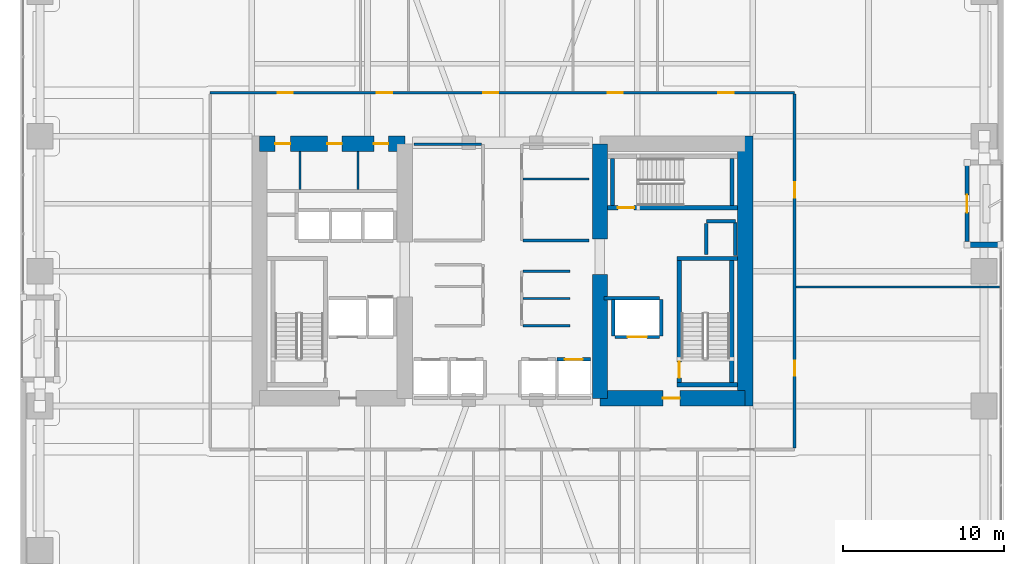
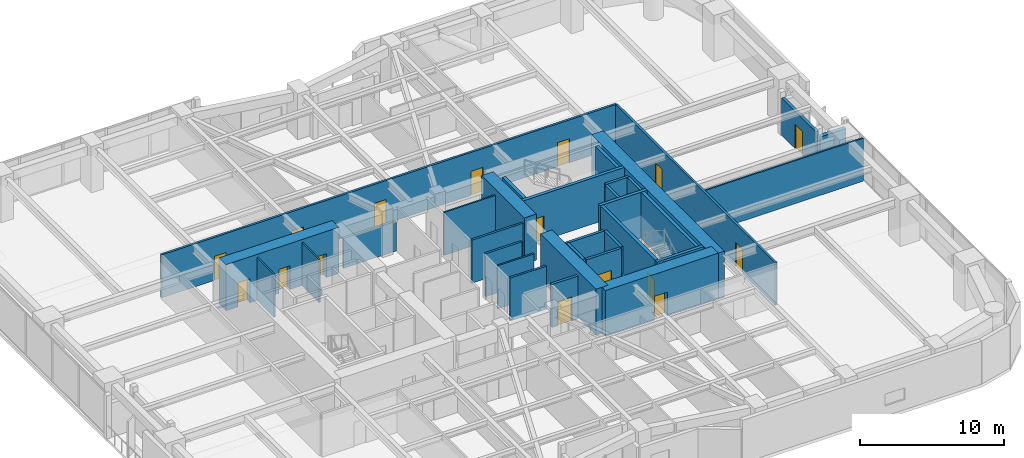
# One storey, part 24 of 29: 33 walls, 16 doors, 16 openings.
"""IFC4 building model written with IfcOpenShell, lengths in metres."""

from ifc_helpers import new_model, si_unit, direction, frame, frame_2d, origin, place, context, subcontext, project, spatial, rectangle, extrude, material, layer, layer_set, type_object, element, fill, save


model = new_model("IFC4")

# Units and contexts
model_context = context("Model", 3, precision=1e-05, world=origin(), true_north=direction((0.0, 1.0)))
body_context = subcontext(model_context, "Body", "Model", "MODEL_VIEW")
ifc_project = project(units=[si_unit("LENGTHUNIT", "METRE"), si_unit("AREAUNIT", "SQUARE_METRE"), si_unit("VOLUMEUNIT", "CUBIC_METRE"), si_unit("PLANEANGLEUNIT", "RADIAN"), si_unit("MASSUNIT", "GRAM", prefix="KILO")], contexts=[model_context])

# Site, building, storey
site_placement = place(None, origin())
site = spatial("IfcSite", under=ifc_project, at=site_placement, CompositionType="ELEMENT")
building_placement = place(site_placement, origin())
building = spatial("IfcBuilding", under=site, at=building_placement, Name="Kiyonajd Concourse Tower", CompositionType="ELEMENT")
storey_placement = place(building_placement, frame((0.0, 0.0, 52.800048828125)))
storey = spatial("IfcBuildingStorey", under=building, at=storey_placement, Name="L14", CompositionType="ELEMENT", Elevation=52.800048828125)

# Wall, openings, doors
ifc_material_1 = material(Name="Concrete C80/95", Category="concrete")
ifc_layer_1 = layer(ifc_material_1, 0.949951171875)
ifc_layer_set_1 = layer_set([ifc_layer_1], Name="Concrete C80/95")
wall_type_1 = type_object("IfcWallType", Name="WL-CORE-950", PredefinedType="SHEAR", material=ifc_layer_set_1)
wall_1_placement = place(storey_placement, frame((32.875, 43.925048828125, 0.0), z_axis=(0.0, 0.0, 1.0), x_axis=(1.0, 0.0, 0.0)))
wall_1 = element("IfcWall", 1, at=wall_1_placement, inside=storey, type_object=wall_type_1, Name="L14 West Core North Shear Wall", PredefinedType="SHEAR", context=body_context, shape_type="SweptSolid", body=[
    extrude(rectangle(XDim=9.050048828125, YDim=0.949951171875, at=frame_2d((4.52490234375, 0.0))), origin(), (0.0, 0.0, 1.0), 3.89990234375),
])
opening_1_placement = place(wall_1_placement, frame((0.97509765625, 0.0, 0.0)))
opening_1 = element("IfcOpeningElement", 2, at=opening_1_placement, cuts=wall_1, Name="Opening DI1", PredefinedType="OPENING", context=body_context, shape_type="SweptSolid", body=[
    extrude(rectangle(XDim=0.949951171875, YDim=2.0400390625, at=frame_2d((0.47509765625, 1.02001953125))), frame((0.0, 0.48486328125, 0.0), z_axis=(0.0, -1.0, 0.0), x_axis=(1.0, 0.0, 0.0)), (0.0, 0.0, 1.0), 0.969970703125),
])
opening_2_placement = place(wall_1_placement, frame((4.22509765625, 0.0, 0.0)))
opening_2 = element("IfcOpeningElement", 3, at=opening_2_placement, cuts=wall_1, Name="Opening DI2", PredefinedType="OPENING", context=body_context, shape_type="SweptSolid", body=[
    extrude(rectangle(XDim=0.89990234375, YDim=2.02001953125, at=frame_2d((0.449951171875, 1.010009765625))), frame((0.0, 0.48486328125, 0.0), z_axis=(0.0, -1.0, 0.0), x_axis=(1.0, 0.0, 0.0)), (0.0, 0.0, 1.0), 0.969970703125),
])
opening_3_placement = place(wall_1_placement, frame((7.125, 0.0, 0.0)))
opening_3 = element("IfcOpeningElement", 4, at=opening_3_placement, cuts=wall_1, Name="Opening DI2", PredefinedType="OPENING", context=body_context, shape_type="SweptSolid", body=[
    extrude(rectangle(XDim=0.89990234375, YDim=2.02001953125, at=frame_2d((0.449951171875, 1.010009765625))), frame((0.0, 0.48486328125, 0.0), z_axis=(0.0, -1.0, 0.0), x_axis=(1.0, 0.0, 0.0)), (0.0, 0.0, 1.0), 0.969970703125),
])
ifc_material_2 = material(Name="Natural Oak Acoustic Timber Veneer", Category="wood")
door_type_1 = type_object("IfcDoorType", Name="DR-INT-900", OperationType="NOTDEFINED", PredefinedType="DOOR", material=ifc_material_2)
door_1_placement = place(opening_2_placement, origin())
door_1 = element("IfcDoor", 5, at=door_1_placement, inside=storey, type_object=door_type_1, Name="L14 Male Restroom Door", OperationType="SINGLE_SWING_RIGHT", OverallHeight=2.02001953125, OverallWidth=0.89990234375, PredefinedType="DOOR", context=body_context, shape_type="SweptSolid", body=[
    extrude(rectangle(XDim=0.89990234375, YDim=2.02001953125, at=frame_2d((0.449951171875, 1.010009765625))), frame((0.0, 0.02490234375, 0.0), z_axis=(0.0, -1.0, 0.0), x_axis=(1.0, 0.0, 0.0)), (0.0, 0.0, 1.0), 0.050048828125),
])
fill(opening_2, door_1)
door_2_placement = place(opening_3_placement, origin())
door_2 = element("IfcDoor", 6, at=door_2_placement, inside=storey, type_object=door_type_1, Name="L14 Female Restroom Door", OperationType="SINGLE_SWING_LEFT", OverallHeight=2.02001953125, OverallWidth=0.89990234375, PredefinedType="DOOR", context=body_context, shape_type="SweptSolid", body=[
    extrude(rectangle(XDim=0.89990234375, YDim=2.02001953125, at=frame_2d((0.449951171875, 1.010009765625))), frame((0.0, 0.02490234375, 0.0), z_axis=(0.0, -1.0, 0.0), x_axis=(1.0, 0.0, 0.0)), (0.0, 0.0, 1.0), 0.050048828125),
])
fill(opening_3, door_2)
door_type_2 = type_object("IfcDoorType", Name="DR-INT-950", OperationType="NOTDEFINED", PredefinedType="DOOR", material=ifc_material_2)
door_3_placement = place(opening_1_placement, origin())
door_3 = element("IfcDoor", 7, at=door_3_placement, inside=storey, type_object=door_type_2, Name="L14 Single User Accessible WC Door", OperationType="SINGLE_SWING_LEFT", OverallHeight=2.0400390625, OverallWidth=0.949951171875, PredefinedType="DOOR", context=body_context, shape_type="SweptSolid", body=[
    extrude(rectangle(XDim=0.949951171875, YDim=2.0400390625, at=frame_2d((0.47509765625, 1.02001953125))), frame((0.0, 0.02490234375, 0.0), z_axis=(0.0, -1.0, 0.0), x_axis=(1.0, 0.0, 0.0)), (0.0, 0.0, 1.0), 0.050048828125),
])
fill(opening_1, door_3)

# Walls
wall_2_placement = place(storey_placement, frame((54.074951171875, 28.074951171875, 0.0), z_axis=(0.0, 0.0, 1.0), x_axis=(0.0, 1.0, 0.0)))
element("IfcWall", 8, at=wall_2_placement, inside=storey, type_object=wall_type_1, Name="L14 East Core Inner South Shear Wall", PredefinedType="SHEAR", context=body_context, shape_type="SweptSolid", body=[
    extrude(rectangle(XDim=7.72509765625, YDim=0.949951171875, at=frame_2d((3.862548828125, 0.0))), origin(), (0.0, 0.0, 1.0), 3.89990234375),
])
wall_3_placement = place(storey_placement, frame((54.074951171875, 38.0, 0.0), z_axis=(0.0, 0.0, 1.0), x_axis=(0.0, 1.0, 0.0)))
element("IfcWall", 9, at=wall_3_placement, inside=storey, type_object=wall_type_1, Name="L14 East Core Inner North Shear Wall", PredefinedType="SHEAR", context=body_context, shape_type="SweptSolid", body=[
    extrude(rectangle(XDim=5.925048828125, YDim=0.949951171875, at=frame_2d((2.96240234375, 0.0))), origin(), (0.0, 0.0, 1.0), 3.89990234375),
])
wall_4_placement = place(storey_placement, frame((63.125, 27.60009765625, 0.0), z_axis=(0.0, 0.0, 1.0), x_axis=(0.0, 1.0, 0.0)))
element("IfcWall", 10, at=wall_4_placement, inside=storey, type_object=wall_type_1, Name="L14 East Core Outer Shear Wall", PredefinedType="SHEAR", context=body_context, shape_type="SweptSolid", body=[
    extrude(rectangle(XDim=16.7998046875, YDim=0.949951171875, at=frame_2d((8.39990234375, 0.0))), origin(), (0.0, 0.0, 1.0), 3.89990234375),
])

# Wall, opening, door
wall_5_placement = place(storey_placement, frame((54.074951171875, 28.074951171875, 0.0), z_axis=(0.0, 0.0, 1.0), x_axis=(1.0, 0.0, 0.0)))
wall_5 = element("IfcWall", 11, at=wall_5_placement, inside=storey, type_object=wall_type_1, Name="L14 East Core South Shear Wall", PredefinedType="SHEAR", context=body_context, shape_type="SweptSolid", body=[
    extrude(rectangle(XDim=9.050048828125, YDim=0.949951171875, at=frame_2d((4.52490234375, 0.0))), origin(), (0.0, 0.0, 1.0), 3.89990234375),
])
opening_4_placement = place(wall_5_placement, frame((3.925048828125, 0.0, 0.0)))
opening_4 = element("IfcOpeningElement", 12, at=opening_4_placement, cuts=wall_5, Name="Opening DF5", PredefinedType="OPENING", context=body_context, shape_type="SweptSolid", body=[
    extrude(rectangle(XDim=1.050048828125, YDim=2.0400390625, at=frame_2d((0.52490234375, 1.02001953125))), frame((0.0, 0.48486328125, 0.0), z_axis=(0.0, -1.0, 0.0), x_axis=(1.0, 0.0, 0.0)), (0.0, 0.0, 1.0), 0.969970703125),
])
ifc_material_3 = material(Name="Brushed Stainless Steel Cab Assembly", Category="steel")
door_type_3 = type_object("IfcDoorType", Name="DR-FD45-1050", OperationType="NOTDEFINED", PredefinedType="DOOR", material=ifc_material_3)
door_4_placement = place(opening_4_placement, origin())
door_4 = element("IfcDoor", 13, at=door_4_placement, inside=storey, type_object=door_type_3, Name="L14 Firefighting Lift Lobby E Smoke Door", OperationType="SINGLE_SWING_RIGHT", OverallHeight=2.0400390625, OverallWidth=1.050048828125, PredefinedType="DOOR", context=body_context, shape_type="SweptSolid", body=[
    extrude(rectangle(XDim=1.050048828125, YDim=2.0400390625, at=frame_2d((0.52490234375, 1.02001953125))), frame((0.0, 0.02490234375, 0.0), z_axis=(0.0, -1.0, 0.0), x_axis=(1.0, 0.0, 0.0)), (0.0, 0.0, 1.0), 0.050048828125),
])
fill(opening_4, door_4)

# Wall
ifc_material_4 = material(Name="Precast concrete C50/60", Category="concrete")
ifc_layer_2 = layer(ifc_material_4, 0.320068359375)
ifc_layer_set_2 = layer_set([ifc_layer_2], Name="Precast concrete C50/60")
wall_type_2 = type_object("IfcWallType", Name="WL-EXT-320", PredefinedType="SOLIDWALL", material=ifc_layer_set_2)
wall_6_placement = place(storey_placement, frame((76.93994140625, 37.639892578125, 0.0), z_axis=(0.0, 0.0, 1.0), x_axis=(1.0, 0.0, 0.0)))
element("IfcWall", 14, at=wall_6_placement, inside=storey, type_object=wall_type_2, Name="L14 Exterior Concrete Frame Wall 23", PredefinedType="SOLIDWALL", context=body_context, shape_type="SweptSolid", body=[
    extrude(rectangle(XDim=2.10009765625, YDim=0.320068359375, at=frame_2d((1.050048828125, 0.0))), origin(), (0.0, 0.0, 1.0), 2.875),
])

# Wall, opening, door
ifc_layer_3 = layer(ifc_material_4, 0.239990234375)
ifc_layer_set_3 = layer_set([ifc_layer_3], Name="Precast concrete C50/60")
wall_type_3 = type_object("IfcWallType", Name="WL-LOG-240", PredefinedType="SOLIDWALL", material=ifc_layer_set_3)
wall_7_placement = place(storey_placement, frame((76.93994140625, 42.56494140625, 0.0), z_axis=(0.0, 0.0, 1.0), x_axis=(0.0, -1.0, 0.0)))
wall_7 = element("IfcWall", 15, at=wall_7_placement, inside=storey, type_object=wall_type_3, Name="L14 Recessed Loggia Thermal Wall LOG-E", PredefinedType="SOLIDWALL", context=body_context, shape_type="SweptSolid", body=[
    extrude(rectangle(XDim=4.72998046875, YDim=0.239990234375, at=frame_2d((2.364990234375, 0.0))), origin(), (0.0, 0.0, 1.0), 3.161865234375),
])
opening_5_placement = place(wall_7_placement, frame((1.81494140625, 0.0, 0.0)))
opening_5 = element("IfcOpeningElement", 16, at=opening_5_placement, cuts=wall_7, Name="Opening DL2", PredefinedType="OPENING", context=body_context, shape_type="SweptSolid", body=[
    extrude(rectangle(XDim=1.10009765625, YDim=2.0400390625, at=frame_2d((0.550048828125, 1.02001953125))), frame((0.0, 0.1298828125, 0.0), z_axis=(0.0, -1.0, 0.0), x_axis=(1.0, 0.0, 0.0)), (0.0, 0.0, 1.0), 0.260009765625),
])
ifc_material_5 = material(Name="Thermally Broken Anodised Aluminium", Category="aluminium")
door_type_4 = type_object("IfcDoorType", Name="DR-LOG-1100", OperationType="NOTDEFINED", PredefinedType="DOOR", material=ifc_material_5)
door_5_placement = place(opening_5_placement, origin())
door_5 = element("IfcDoor", 17, at=door_5_placement, inside=storey, type_object=door_type_4, Name="L14 Engawa Loggia Access Door LOG-E", OperationType="SINGLE_SWING_LEFT", OverallHeight=2.0400390625, OverallWidth=1.10009765625, PredefinedType="DOOR", context=body_context, shape_type="SweptSolid", body=[
    extrude(rectangle(XDim=1.10009765625, YDim=2.0400390625, at=frame_2d((0.550048828125, 1.02001953125))), frame((0.0, 0.02490234375, 0.0), z_axis=(0.0, -1.0, 0.0), x_axis=(1.0, 0.0, 0.0)), (0.0, 0.0, 1.0), 0.050048828125),
])
fill(opening_5, door_5)

# Walls
ifc_material_6 = material(Name="Gypsum Board on Cold-Formed Steel Stud", Category="steel")
ifc_layer_4 = layer(ifc_material_6, 0.125)
ifc_layer_set_4 = layer_set([ifc_layer_4], Name="Gypsum Board on Cold-Formed Steel Stud")
wall_type_4 = type_object("IfcWallType", Name="WL-PART-125", PredefinedType="PARTITIONING", material=ifc_layer_set_4)
for number, where, z_axis, x_axis, name in (
    (18, (35.39990234375, 41.094970703125, 0.0), (0.0, 0.0, 1.0), (0.0, 1.0, 0.0), "L14 Interior Partition Wall"),
    (19, (39.0, 41.094970703125, 0.0), (0.0, 0.0, 1.0), (0.0, 1.0, 0.0), "L14 Interior Partition Wall"),
):
    element("IfcWall", number, at=place(storey_placement, frame(where, z_axis=z_axis, x_axis=x_axis)), inside=storey, type_object=wall_type_4, Name=name, PredefinedType="PARTITIONING", context=body_context, shape_type="SweptSolid", body=[
        extrude(rectangle(XDim=2.35498046875, YDim=0.125, at=frame_2d((1.177490234375, 0.0))), origin(), (0.0, 0.0, 1.0), 3.639892578125),
    ])
wall_8_placement = place(storey_placement, frame((49.287109375, 34.300048828125, 0.0), z_axis=(0.0, 0.0, 1.0), x_axis=(1.0, 0.0, 0.0)))
element("IfcWall", 20, at=wall_8_placement, inside=storey, type_object=wall_type_4, Name="L14 Interior Partition Wall", PredefinedType="PARTITIONING", context=body_context, shape_type="SweptSolid", body=[
    extrude(rectangle(XDim=2.912841796875, YDim=0.125, at=frame_2d((1.45654296875, 0.0))), origin(), (0.0, 0.0, 1.0), 3.639892578125),
])
wall_9_placement = place(storey_placement, frame((49.287109375, 41.739990234375, 0.0), z_axis=(0.0, 0.0, 1.0), x_axis=(1.0, 0.0, 0.0)))
element("IfcWall", 21, at=wall_9_placement, inside=storey, type_object=wall_type_4, Name="L14 Interior Partition Wall", PredefinedType="PARTITIONING", context=body_context, shape_type="SweptSolid", body=[
    extrude(rectangle(XDim=4.11279296875, YDim=0.125, at=frame_2d((2.056396484375, 0.0))), origin(), (0.0, 0.0, 1.0), 3.639892578125),
])
wall_10_placement = place(storey_placement, frame((66.287109375, 35.0, 0.0), z_axis=(0.0, 0.0, 1.0), x_axis=(1.0, 0.0, 0.0)))
element("IfcWall", 22, at=wall_10_placement, inside=storey, type_object=wall_type_4, Name="L14 Interior Partition Wall", PredefinedType="PARTITIONING", context=body_context, shape_type="SweptSolid", body=[
    extrude(rectangle(XDim=12.66796875, YDim=0.125, at=frame_2d((6.333984375, 0.0))), origin(), (0.0, 0.0, 1.0), 3.639892578125),
])
ifc_layer_5 = layer(ifc_material_6, 0.2099609375)
ifc_layer_set_5 = layer_set([ifc_layer_5], Name="Gypsum Board on Cold-Formed Steel Stud")
wall_type_5 = type_object("IfcWallType", Name="WL-SHAFT-210", PredefinedType="PARTITIONING", material=ifc_layer_set_5)
wall_11_placement = place(storey_placement, frame((60.719970703125, 39.10009765625, 0.0), z_axis=(0.0, 0.0, 1.0), x_axis=(1.0, 0.0, 0.0)))
element("IfcWall", 23, at=wall_11_placement, inside=storey, type_object=wall_type_5, Name="L14 Shaft Enclosure Wall", PredefinedType="PARTITIONING", context=body_context, shape_type="SweptSolid", body=[
    extrude(rectangle(XDim=1.800048828125, YDim=0.2099609375, at=frame_2d((0.89990234375, 0.0))), origin(), (0.0, 0.0, 1.0), 3.639892578125),
])
wall_12_placement = place(storey_placement, frame((60.699951171875, 37.02001953125, 0.0), z_axis=(0.0, 0.0, 1.0), x_axis=(0.0, 1.0, 0.0)))
element("IfcWall", 24, at=wall_12_placement, inside=storey, type_object=wall_type_5, Name="L14 Shaft Enclosure Wall", PredefinedType="PARTITIONING", context=body_context, shape_type="SweptSolid", body=[
    extrude(rectangle(XDim=1.9599609375, YDim=0.2099609375, at=frame_2d((0.97998046875, 0.0))), origin(), (0.0, 0.0, 1.0), 3.639892578125),
])
wall_13_placement = place(storey_placement, frame((62.5, 36.97998046875, 0.0), z_axis=(0.0, 0.0, 1.0), x_axis=(0.0, 1.0, 0.0)))
element("IfcWall", 25, at=wall_13_placement, inside=storey, type_object=wall_type_5, Name="L14 Shaft Enclosure Wall", PredefinedType="PARTITIONING", context=body_context, shape_type="SweptSolid", body=[
    extrude(rectangle(XDim=2.0400390625, YDim=0.2099609375, at=frame_2d((1.02001953125, 0.0))), origin(), (0.0, 0.0, 1.0), 3.639892578125),
])

# Wall, opening, door
wall_14_placement = place(storey_placement, frame((55.0, 31.89990234375, 0.0), z_axis=(0.0, 0.0, 1.0), x_axis=(1.0, 0.0, 0.0)))
wall_14 = element("IfcWall", 26, at=wall_14_placement, inside=storey, type_object=wall_type_5, Name="L14 Shaft Enclosure Wall", PredefinedType="PARTITIONING", context=body_context, shape_type="SweptSolid", body=[
    extrude(rectangle(XDim=2.800048828125, YDim=0.2099609375, at=frame_2d((1.39990234375, 0.0))), origin(), (0.0, 0.0, 1.0), 3.639892578125),
])
opening_6_placement = place(wall_14_placement, frame((0.800048828125, 0.0, 0.0)))
opening_6 = element("IfcOpeningElement", 27, at=opening_6_placement, cuts=wall_14, Name="Opening LD2", PredefinedType="OPENING", context=body_context, shape_type="SweptSolid", body=[
    extrude(rectangle(XDim=1.199951171875, YDim=2.0400390625, at=frame_2d((0.60009765625, 1.02001953125))), frame((0.0, 0.114990234375, 0.0), z_axis=(0.0, -1.0, 0.0), x_axis=(1.0, 0.0, 0.0)), (0.0, 0.0, 1.0), 0.22998046875),
])
door_type_5 = type_object("IfcDoorType", Name="DR-LD-1200", OperationType="DOUBLE_DOOR_SLIDING", PredefinedType="DOOR", material=ifc_material_3)
door_6_placement = place(opening_6_placement, origin())
door_6 = element("IfcDoor", 28, at=door_6_placement, inside=storey, type_object=door_type_5, Name="L14 Lift FFL2 Sliding Landing Door", OperationType="DOUBLE_DOOR_SLIDING", OverallHeight=2.0400390625, OverallWidth=1.199951171875, PredefinedType="DOOR", context=body_context, shape_type="SweptSolid", body=[
    extrude(rectangle(XDim=1.199951171875, YDim=2.0400390625, at=frame_2d((0.60009765625, 1.02001953125))), frame((0.0, 0.02490234375, 0.0), z_axis=(0.0, -1.0, 0.0), x_axis=(1.0, 0.0, 0.0)), (0.0, 0.0, 1.0), 0.050048828125),
])
fill(opening_6, door_6)

# Walls
wall_15_placement = place(storey_placement, frame((54.320068359375, 34.300048828125, 0.0), z_axis=(0.0, 0.0, 1.0), x_axis=(1.0, 0.0, 0.0)))
element("IfcWall", 29, at=wall_15_placement, inside=storey, type_object=wall_type_5, Name="L14 Shaft Enclosure Wall", PredefinedType="PARTITIONING", context=body_context, shape_type="SweptSolid", body=[
    extrude(rectangle(XDim=3.47998046875, YDim=0.2099609375, at=frame_2d((1.739990234375, 0.0))), origin(), (0.0, 0.0, 1.0), 3.639892578125),
])
for number, where, z_axis, x_axis, name in (
    (30, (54.89990234375, 31.9599609375, 0.0), (0.0, 0.0, 1.0), (0.0, 1.0, 0.0), "L14 Shaft Enclosure Wall"),
    (31, (57.89990234375, 31.9599609375, 0.0), (0.0, 0.0, 1.0), (0.0, 1.0, 0.0), "L14 Shaft Enclosure Wall"),
):
    element("IfcWall", number, at=place(storey_placement, frame(where, z_axis=z_axis, x_axis=x_axis)), inside=storey, type_object=wall_type_5, Name=name, PredefinedType="PARTITIONING", context=body_context, shape_type="SweptSolid", body=[
        extrude(rectangle(XDim=2.280029296875, YDim=0.2099609375, at=frame_2d((1.14013671875, 0.0))), origin(), (0.0, 0.0, 1.0), 3.639892578125),
    ])

# Wall, opening, door
wall_16_placement = place(storey_placement, frame((51.39990234375, 30.5, 0.0), z_axis=(0.0, 0.0, 1.0), x_axis=(1.0, 0.0, 0.0)))
wall_16 = element("IfcWall", 32, at=wall_16_placement, inside=storey, type_object=wall_type_5, Name="L14 Shaft Enclosure Wall", PredefinedType="PARTITIONING", context=body_context, shape_type="SweptSolid", body=[
    extrude(rectangle(XDim=2.10009765625, YDim=0.2099609375, at=frame_2d((1.050048828125, 0.0))), origin(), (0.0, 0.0, 1.0), 3.639892578125),
])
opening_7_placement = place(wall_16_placement, frame((0.5, 0.0, 0.0)))
opening_7 = element("IfcOpeningElement", 33, at=opening_7_placement, cuts=wall_16, Name="Opening LD1", PredefinedType="OPENING", context=body_context, shape_type="SweptSolid", body=[
    extrude(rectangle(XDim=1.10009765625, YDim=2.0400390625, at=frame_2d((0.550048828125, 1.02001953125))), frame((0.0, 0.114990234375, 0.0), z_axis=(0.0, -1.0, 0.0), x_axis=(1.0, 0.0, 0.0)), (0.0, 0.0, 1.0), 0.22998046875),
])
door_type_6 = type_object("IfcDoorType", Name="DR-LD-1100", OperationType="DOUBLE_DOOR_SLIDING", PredefinedType="DOOR", material=ifc_material_3)
door_7_placement = place(opening_7_placement, origin())
door_7 = element("IfcDoor", 34, at=door_7_placement, inside=storey, type_object=door_type_6, Name="L14 Lift PL-L4 Sliding Landing Door", OperationType="DOUBLE_DOOR_SLIDING", OverallHeight=2.0400390625, OverallWidth=1.10009765625, PredefinedType="DOOR", context=body_context, shape_type="SweptSolid", body=[
    extrude(rectangle(XDim=1.10009765625, YDim=2.0400390625, at=frame_2d((0.550048828125, 1.02001953125))), frame((0.0, 0.02490234375, 0.0), z_axis=(0.0, -1.0, 0.0), x_axis=(1.0, 0.0, 0.0)), (0.0, 0.0, 1.0), 0.050048828125),
])
fill(opening_7, door_7)

# Walls
ifc_layer_6 = layer(ifc_material_6, 0.169921875)
ifc_layer_set_6 = layer_set([ifc_layer_6], Name="Gypsum Board on Cold-Formed Steel Stud")
wall_type_6 = type_object("IfcWallType", Name="WL-SMK-170", PredefinedType="PARTITIONING", material=ifc_layer_set_6)
for number, where, z_axis, x_axis, name in (
    (35, (49.287109375, 32.60009765625, 0.0), (0.0, 0.0, 1.0), (1.0, 0.0, 0.0), "L14 Interior Partition Wall"),
    (36, (49.287109375, 36.0, 0.0), (0.0, 0.0, 1.0), (1.0, 0.0, 0.0), "L14 Interior Partition Wall"),
):
    element("IfcWall", number, at=place(storey_placement, frame(where, z_axis=z_axis, x_axis=x_axis)), inside=storey, type_object=wall_type_6, Name=name, PredefinedType="PARTITIONING", context=body_context, shape_type="SweptSolid", body=[
        extrude(rectangle(XDim=2.912841796875, YDim=0.169921875, at=frame_2d((1.45654296875, 0.0))), origin(), (0.0, 0.0, 1.0), 3.639892578125),
    ])
wall_17_placement = place(storey_placement, frame((42.5, 43.89990234375, 0.0), z_axis=(0.0, 0.0, 1.0), x_axis=(1.0, 0.0, 0.0)))
element("IfcWall", 37, at=wall_17_placement, inside=storey, type_object=wall_type_6, Name="L14 Interior Partition Wall", PredefinedType="PARTITIONING", context=body_context, shape_type="SweptSolid", body=[
    extrude(rectangle(XDim=4.212890625, YDim=0.169921875, at=frame_2d((2.1064453125, 0.0))), origin(), (0.0, 0.0, 1.0), 2.52490234375),
])
wall_18_placement = place(storey_placement, frame((49.287109375, 37.89990234375, 0.0), z_axis=(0.0, 0.0, 1.0), x_axis=(1.0, 0.0, 0.0)))
element("IfcWall", 38, at=wall_18_placement, inside=storey, type_object=wall_type_6, Name="L14 Interior Partition Wall", PredefinedType="PARTITIONING", context=body_context, shape_type="SweptSolid", body=[
    extrude(rectangle(XDim=4.11279296875, YDim=0.169921875, at=frame_2d((2.056396484375, 0.0))), origin(), (0.0, 0.0, 1.0), 3.639892578125),
])

# Wall, openings, doors
wall_19_placement = place(storey_placement, frame((29.800048828125, 47.110107421875, 0.0), z_axis=(0.0, 0.0, 1.0), x_axis=(1.0, 0.0, 0.0)))
wall_19 = element("IfcWall", 39, at=wall_19_placement, inside=storey, type_object=wall_type_6, Name="L14 Interior Partition Wall", PredefinedType="PARTITIONING", context=body_context, shape_type="SweptSolid", body=[
    extrude(rectangle(XDim=36.39990234375, YDim=0.169921875, at=frame_2d((18.199951171875, 0.0))), origin(), (0.0, 0.0, 1.0), 3.639892578125),
])
opening_8_placement = place(wall_19_placement, frame((4.205078125, 0.0, 0.0)))
opening_8 = element("IfcOpeningElement", 40, at=opening_8_placement, cuts=wall_19, Name="Opening DI1", PredefinedType="OPENING", context=body_context, shape_type="SweptSolid", body=[
    extrude(rectangle(XDim=0.949951171875, YDim=2.0400390625, at=frame_2d((0.47509765625, 1.02001953125))), frame((0.0, 0.094970703125, 0.0), z_axis=(0.0, -1.0, 0.0), x_axis=(1.0, 0.0, 0.0)), (0.0, 0.0, 1.0), 0.18994140625),
])
opening_9_placement = place(wall_19_placement, frame((10.385009765625, 0.0, 0.0)))
opening_9 = element("IfcOpeningElement", 41, at=opening_9_placement, cuts=wall_19, Name="Opening DI1", PredefinedType="OPENING", context=body_context, shape_type="SweptSolid", body=[
    extrude(rectangle(XDim=0.949951171875, YDim=2.0400390625, at=frame_2d((0.47509765625, 1.02001953125))), frame((0.0, 0.094970703125, 0.0), z_axis=(0.0, -1.0, 0.0), x_axis=(1.0, 0.0, 0.0)), (0.0, 0.0, 1.0), 0.18994140625),
])
opening_10_placement = place(wall_19_placement, frame((17.0048828125, 0.0, 0.0)))
opening_10 = element("IfcOpeningElement", 42, at=opening_10_placement, cuts=wall_19, Name="Opening DI1", PredefinedType="OPENING", context=body_context, shape_type="SweptSolid", body=[
    extrude(rectangle(XDim=0.949951171875, YDim=2.0400390625, at=frame_2d((0.47509765625, 1.02001953125))), frame((0.0, 0.094970703125, 0.0), z_axis=(0.0, -1.0, 0.0), x_axis=(1.0, 0.0, 0.0)), (0.0, 0.0, 1.0), 0.18994140625),
])
opening_11_placement = place(wall_19_placement, frame((24.7548828125, 0.0, 0.0)))
opening_11 = element("IfcOpeningElement", 43, at=opening_11_placement, cuts=wall_19, Name="Opening DI1", PredefinedType="OPENING", context=body_context, shape_type="SweptSolid", body=[
    extrude(rectangle(XDim=0.949951171875, YDim=2.0400390625, at=frame_2d((0.47509765625, 1.02001953125))), frame((0.0, 0.094970703125, 0.0), z_axis=(0.0, -1.0, 0.0), x_axis=(1.0, 0.0, 0.0)), (0.0, 0.0, 1.0), 0.18994140625),
])
opening_12_placement = place(wall_19_placement, frame((31.655029296875, 0.0, 0.0)))
opening_12 = element("IfcOpeningElement", 44, at=opening_12_placement, cuts=wall_19, Name="Opening DI1", PredefinedType="OPENING", context=body_context, shape_type="SweptSolid", body=[
    extrude(rectangle(XDim=0.949951171875, YDim=2.0400390625, at=frame_2d((0.47509765625, 1.02001953125))), frame((0.0, 0.094970703125, 0.0), z_axis=(0.0, -1.0, 0.0), x_axis=(1.0, 0.0, 0.0)), (0.0, 0.0, 1.0), 0.18994140625),
])
door_8_placement = place(opening_8_placement, origin())
door_8 = element("IfcDoor", 45, at=door_8_placement, inside=storey, type_object=door_type_2, Name="L14 Interior Door", OperationType="SINGLE_SWING_RIGHT", OverallHeight=2.0400390625, OverallWidth=0.949951171875, PredefinedType="DOOR", context=body_context, shape_type="SweptSolid", body=[
    extrude(rectangle(XDim=0.949951171875, YDim=2.0400390625, at=frame_2d((0.47509765625, 1.02001953125))), frame((0.0, 0.02490234375, 0.0), z_axis=(0.0, -1.0, 0.0), x_axis=(1.0, 0.0, 0.0)), (0.0, 0.0, 1.0), 0.050048828125),
])
fill(opening_8, door_8)
door_9_placement = place(opening_9_placement, origin())
door_9 = element("IfcDoor", 46, at=door_9_placement, inside=storey, type_object=door_type_2, Name="L14 Interior Door", OperationType="SINGLE_SWING_LEFT", OverallHeight=2.0400390625, OverallWidth=0.949951171875, PredefinedType="DOOR", context=body_context, shape_type="SweptSolid", body=[
    extrude(rectangle(XDim=0.949951171875, YDim=2.0400390625, at=frame_2d((0.47509765625, 1.02001953125))), frame((0.0, 0.02490234375, 0.0), z_axis=(0.0, -1.0, 0.0), x_axis=(1.0, 0.0, 0.0)), (0.0, 0.0, 1.0), 0.050048828125),
])
fill(opening_9, door_9)
door_10_placement = place(opening_10_placement, origin())
door_10 = element("IfcDoor", 47, at=door_10_placement, inside=storey, type_object=door_type_2, Name="L14 Interior Door", OperationType="SINGLE_SWING_RIGHT", OverallHeight=2.0400390625, OverallWidth=0.949951171875, PredefinedType="DOOR", context=body_context, shape_type="SweptSolid", body=[
    extrude(rectangle(XDim=0.949951171875, YDim=2.0400390625, at=frame_2d((0.47509765625, 1.02001953125))), frame((0.0, 0.02490234375, 0.0), z_axis=(0.0, -1.0, 0.0), x_axis=(1.0, 0.0, 0.0)), (0.0, 0.0, 1.0), 0.050048828125),
])
fill(opening_10, door_10)
door_11_placement = place(opening_11_placement, origin())
door_11 = element("IfcDoor", 48, at=door_11_placement, inside=storey, type_object=door_type_2, Name="L14 Interior Door", OperationType="SINGLE_SWING_RIGHT", OverallHeight=2.0400390625, OverallWidth=0.949951171875, PredefinedType="DOOR", context=body_context, shape_type="SweptSolid", body=[
    extrude(rectangle(XDim=0.949951171875, YDim=2.0400390625, at=frame_2d((0.47509765625, 1.02001953125))), frame((0.0, 0.02490234375, 0.0), z_axis=(0.0, -1.0, 0.0), x_axis=(1.0, 0.0, 0.0)), (0.0, 0.0, 1.0), 0.050048828125),
])
fill(opening_11, door_11)
door_12_placement = place(opening_12_placement, origin())
door_12 = element("IfcDoor", 49, at=door_12_placement, inside=storey, type_object=door_type_2, Name="L14 Interior Door", OperationType="SINGLE_SWING_LEFT", OverallHeight=2.0400390625, OverallWidth=0.949951171875, PredefinedType="DOOR", context=body_context, shape_type="SweptSolid", body=[
    extrude(rectangle(XDim=0.949951171875, YDim=2.0400390625, at=frame_2d((0.47509765625, 1.02001953125))), frame((0.0, 0.02490234375, 0.0), z_axis=(0.0, -1.0, 0.0), x_axis=(1.0, 0.0, 0.0)), (0.0, 0.0, 1.0), 0.050048828125),
])
fill(opening_12, door_12)

wall_20_placement = place(storey_placement, frame((66.199951171875, 24.97705078125, 0.0), z_axis=(0.0, 0.0, 1.0), x_axis=(0.0, 1.0, 0.0)))
wall_20 = element("IfcWall", 50, at=wall_20_placement, inside=storey, type_object=wall_type_6, Name="L14 Interior Partition Wall", PredefinedType="PARTITIONING", context=body_context, shape_type="SweptSolid", body=[
    extrude(rectangle(XDim=22.0458984375, YDim=0.169921875, at=frame_2d((11.02294921875, 0.0))), origin(), (0.0, 0.0, 1.0), 3.639892578125),
])
opening_13_placement = place(wall_20_placement, frame((4.492919921875, 0.0, 0.0)))
opening_13 = element("IfcOpeningElement", 51, at=opening_13_placement, cuts=wall_20, Name="Opening DI1", PredefinedType="OPENING", context=body_context, shape_type="SweptSolid", body=[
    extrude(rectangle(XDim=0.949951171875, YDim=2.0400390625, at=frame_2d((0.47509765625, 1.02001953125))), frame((0.0, 0.094970703125, 0.0), z_axis=(0.0, -1.0, 0.0), x_axis=(1.0, 0.0, 0.0)), (0.0, 0.0, 1.0), 0.18994140625),
])
opening_14_placement = place(wall_20_placement, frame((15.60302734375, 0.0, 0.0)))
opening_14 = element("IfcOpeningElement", 52, at=opening_14_placement, cuts=wall_20, Name="Opening DI1", PredefinedType="OPENING", context=body_context, shape_type="SweptSolid", body=[
    extrude(rectangle(XDim=0.949951171875, YDim=2.0400390625, at=frame_2d((0.47509765625, 1.02001953125))), frame((0.0, 0.094970703125, 0.0), z_axis=(0.0, -1.0, 0.0), x_axis=(1.0, 0.0, 0.0)), (0.0, 0.0, 1.0), 0.18994140625),
])
door_13_placement = place(opening_13_placement, origin())
door_13 = element("IfcDoor", 53, at=door_13_placement, inside=storey, type_object=door_type_2, Name="L14 Interior Door", OperationType="SINGLE_SWING_LEFT", OverallHeight=2.0400390625, OverallWidth=0.949951171875, PredefinedType="DOOR", context=body_context, shape_type="SweptSolid", body=[
    extrude(rectangle(XDim=0.949951171875, YDim=2.0400390625, at=frame_2d((0.47509765625, 1.02001953125))), frame((0.0, 0.02490234375, 0.0), z_axis=(0.0, -1.0, 0.0), x_axis=(1.0, 0.0, 0.0)), (0.0, 0.0, 1.0), 0.050048828125),
])
fill(opening_13, door_13)
door_14_placement = place(opening_14_placement, origin())
door_14 = element("IfcDoor", 54, at=door_14_placement, inside=storey, type_object=door_type_2, Name="L14 Interior Door", OperationType="SINGLE_SWING_RIGHT", OverallHeight=2.0400390625, OverallWidth=0.949951171875, PredefinedType="DOOR", context=body_context, shape_type="SweptSolid", body=[
    extrude(rectangle(XDim=0.949951171875, YDim=2.0400390625, at=frame_2d((0.47509765625, 1.02001953125))), frame((0.0, 0.02490234375, 0.0), z_axis=(0.0, -1.0, 0.0), x_axis=(1.0, 0.0, 0.0)), (0.0, 0.0, 1.0), 0.050048828125),
])
fill(opening_14, door_14)

# Walls
ifc_material_7 = material(Name="Concrete C50/60", Category="concrete")
ifc_layer_7 = layer(ifc_material_7, 0.260009765625)
ifc_layer_set_7 = layer_set([ifc_layer_7], Name="Concrete C50/60")
wall_type_7 = type_object("IfcWallType", Name="WL-STAIR-260", PredefinedType="SHEAR", material=ifc_layer_set_7)
for number, where, z_axis, x_axis, name in (
    (55, (58.889892578125, 28.919921875, 0.0), (0.0, 0.0, 1.0), (1.0, 0.0, 0.0), "L14 Stair ST2 Structural South Wall"),
    (56, (58.889892578125, 36.780029296875, 0.0), (0.0, 0.0, 1.0), (1.0, 0.0, 0.0), "L14 Stair ST2 Structural North Wall"),
):
    element("IfcWall", number, at=place(storey_placement, frame(where, z_axis=z_axis, x_axis=x_axis)), inside=storey, type_object=wall_type_7, Name=name, PredefinedType="SHEAR", context=body_context, shape_type="SweptSolid", body=[
        extrude(rectangle(XDim=3.760009765625, YDim=0.260009765625, at=frame_2d((1.8798828125, 0.0))), origin(), (0.0, 0.0, 1.0), 3.89990234375),
    ])

# Wall, opening, door
wall_21_placement = place(storey_placement, frame((59.02001953125, 29.050048828125, 0.0), z_axis=(0.0, 0.0, 1.0), x_axis=(0.0, 1.0, 0.0)))
wall_21 = element("IfcWall", 57, at=wall_21_placement, inside=storey, type_object=wall_type_7, Name="L14 Stair ST2 Structural West Wall", PredefinedType="SHEAR", context=body_context, shape_type="SweptSolid", body=[
    extrude(rectangle(XDim=7.599853515625, YDim=0.260009765625, at=frame_2d((3.7998046875, 0.0))), origin(), (0.0, 0.0, 1.0), 3.89990234375),
])
opening_15_placement = place(wall_21_placement, frame((0.300048828125, 0.0, 0.0)))
opening_15 = element("IfcOpeningElement", 58, at=opening_15_placement, cuts=wall_21, Name="Opening DF1", PredefinedType="OPENING", context=body_context, shape_type="SweptSolid", body=[
    extrude(rectangle(XDim=1.0, YDim=2.0400390625, at=frame_2d((0.5, 1.02001953125))), frame((0.0, 0.139892578125, 0.0), z_axis=(0.0, -1.0, 0.0), x_axis=(1.0, 0.0, 0.0)), (0.0, 0.0, 1.0), 0.280029296875),
])
door_type_7 = type_object("IfcDoorType", Name="DR-FD90-1000", OperationType="NOTDEFINED", PredefinedType="DOOR", material=ifc_material_3)
door_15_placement = place(opening_15_placement, origin())
door_15 = element("IfcDoor", 59, at=door_15_placement, inside=storey, type_object=door_type_7, Name="L14 Stair ST2 FSAE Door", OperationType="SINGLE_SWING_RIGHT", OverallHeight=2.0400390625, OverallWidth=1.0, PredefinedType="DOOR", context=body_context, shape_type="SweptSolid", body=[
    extrude(rectangle(XDim=1.0, YDim=2.0400390625, at=frame_2d((0.5, 1.02001953125))), frame((0.0, 0.02490234375, 0.0), z_axis=(0.0, -1.0, 0.0), x_axis=(1.0, 0.0, 0.0)), (0.0, 0.0, 1.0), 0.050048828125),
])
fill(opening_15, door_15)

# Wall
wall_22_placement = place(storey_placement, frame((62.280029296875, 29.050048828125, 0.0), z_axis=(0.0, 0.0, 1.0), x_axis=(0.0, 1.0, 0.0)))
element("IfcWall", 60, at=wall_22_placement, inside=storey, type_object=wall_type_7, Name="L14 Stair ST2 Structural East Wall", PredefinedType="SHEAR", context=body_context, shape_type="SweptSolid", body=[
    extrude(rectangle(XDim=7.599853515625, YDim=0.260009765625, at=frame_2d((3.7998046875, 0.0))), origin(), (0.0, 0.0, 1.0), 3.89990234375),
])

# Wall, opening, door
wall_23_placement = place(storey_placement, frame((54.550048828125, 39.949951171875, 0.0), z_axis=(0.0, 0.0, 1.0), x_axis=(1.0, 0.0, 0.0)))
wall_23 = element("IfcWall", 61, at=wall_23_placement, inside=storey, type_object=wall_type_7, Name="L14 Stair ST3 Structural South Wall", PredefinedType="SHEAR", context=body_context, shape_type="SweptSolid", body=[
    extrude(rectangle(XDim=8.099853515625, YDim=0.260009765625, at=frame_2d((4.0498046875, 0.0))), origin(), (0.0, 0.0, 1.0), 3.89990234375),
])
opening_16_placement = place(wall_23_placement, frame((0.64990234375, 0.0, 0.0)))
opening_16 = element("IfcOpeningElement", 62, at=opening_16_placement, cuts=wall_23, Name="Opening DF1", PredefinedType="OPENING", context=body_context, shape_type="SweptSolid", body=[
    extrude(rectangle(XDim=1.0, YDim=2.0400390625, at=frame_2d((0.5, 1.02001953125))), frame((0.0, 0.139892578125, 0.0), z_axis=(0.0, -1.0, 0.0), x_axis=(1.0, 0.0, 0.0)), (0.0, 0.0, 1.0), 0.280029296875),
])
door_16_placement = place(opening_16_placement, origin())
door_16 = element("IfcDoor", 63, at=door_16_placement, inside=storey, type_object=door_type_7, Name="L14 Stair ST3 Enclosure Door", OperationType="SINGLE_SWING_LEFT", OverallHeight=2.0400390625, OverallWidth=1.0, PredefinedType="DOOR", context=body_context, shape_type="SweptSolid", body=[
    extrude(rectangle(XDim=1.0, YDim=2.0400390625, at=frame_2d((0.5, 1.02001953125))), frame((0.0, 0.02490234375, 0.0), z_axis=(0.0, -1.0, 0.0), x_axis=(1.0, 0.0, 0.0)), (0.0, 0.0, 1.0), 0.050048828125),
])
fill(opening_16, door_16)

# Walls
for number, where, z_axis, x_axis, name in (
    (64, (54.85009765625, 40.080078125, 0.0), (0.0, 0.0, 1.0), (0.0, 1.0, 0.0), "L14 Stair ST3 Structural West Wall"),
    (65, (62.31005859375, 40.080078125, 0.0), (0.0, 0.0, 1.0), (0.0, 1.0, 0.0), "L14 Stair ST3 Structural East Wall"),
):
    element("IfcWall", number, at=place(storey_placement, frame(where, z_axis=z_axis, x_axis=x_axis)), inside=storey, type_object=wall_type_7, Name=name, PredefinedType="SHEAR", context=body_context, shape_type="SweptSolid", body=[
        extrude(rectangle(XDim=2.93994140625, YDim=0.260009765625, at=frame_2d((1.469970703125, 0.0))), origin(), (0.0, 0.0, 1.0), 3.89990234375),
    ])

save(model, "model.ifc")
